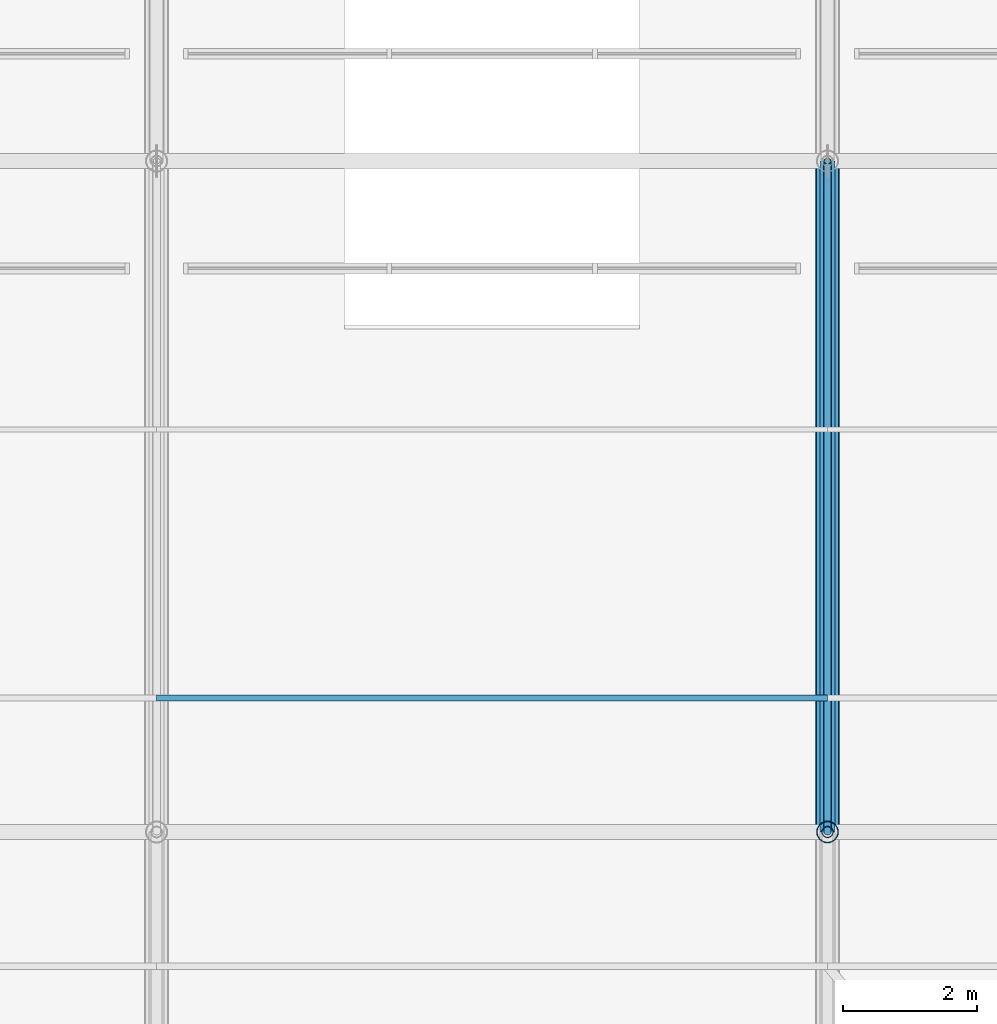
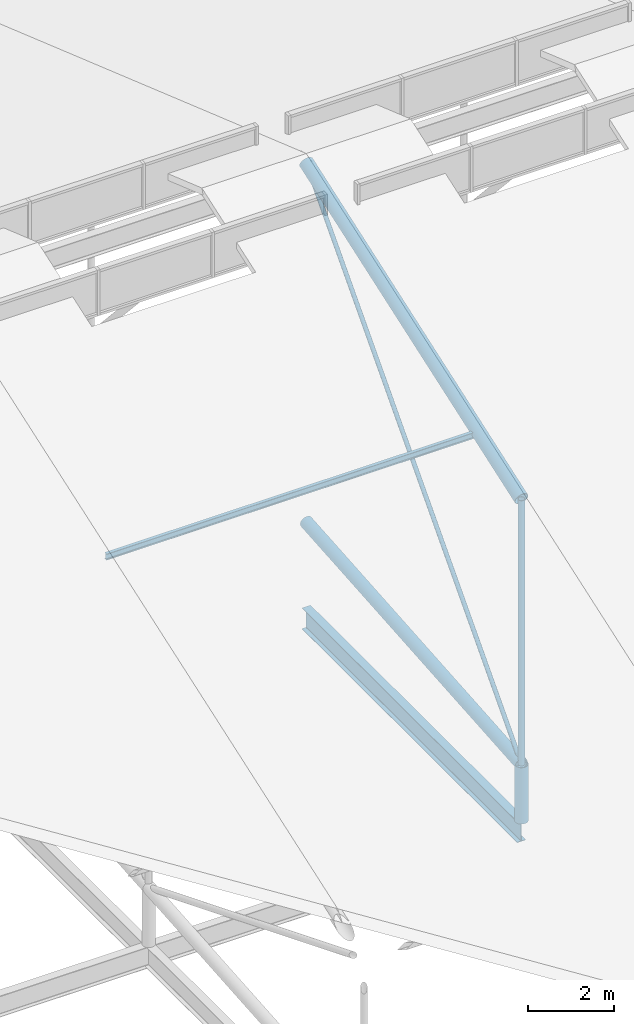
# One storey, part 26 of 93: 6 members, 1 beam.
"""IFC4 building model written with IfcOpenShell, lengths in metres."""

import ifcopenshell
import ifcopenshell.guid

model = None  # the IFC model being written
_history = None  # IfcOwnerHistory: only IFC2X3 demands one
_inside = {}  # id of a spatial element -> (the spatial element, [elements in it])
_under = {}  # id of a project, library or spatial element -> (it, [spatial elements below it])
_declared = {}  # id of a project -> (the project, [libraries it declares])
_typed = {}  # id of a type object -> (the type object, [elements of that type])
_made_of = {}  # id of a material, layer set ... -> (it, [elements and type objects made of it])


def new_model(schema):
    """Start an empty IFC model of exactly this schema.

    Asked for "IFC4X3", IfcOpenShell would pick the latest addendum, in which some entities
    have other attributes; the version numbers below select the first issue.
    IFC2X3 requires an IfcOwnerHistory on every rooted entity: one is made here for all.
    """
    global model, _history
    if schema == "IFC4X3":
        model = ifcopenshell.file(schema_version=(4, 3, 0, 0))
    else:
        model = ifcopenshell.file(schema=schema)
    _inside.clear()
    _under.clear()
    _declared.clear()
    _typed.clear()
    _made_of.clear()
    _history = None
    if model.schema == "IFC2X3":
        org = make("IfcOrganization", Name="unknown")
        user = make(
            "IfcPersonAndOrganization",
            ThePerson=make("IfcPerson", FamilyName="unknown"),
            TheOrganization=org,
        )
        app = make(
            "IfcApplication",
            ApplicationDeveloper=org,
            Version="unknown",
            ApplicationFullName="unknown",
            ApplicationIdentifier="unknown",
        )
        _history = make(
            "IfcOwnerHistory",
            OwningUser=user,
            OwningApplication=app,
            ChangeAction="ADDED",
            CreationDate=0,
        )
    return model


def make(cls, **values):
    """One entity of the class cls with the attributes given. An attribute that is None is left unset."""
    return model.create_entity(
        cls, **{name: value for name, value in values.items() if value is not None}
    )


def rooted(cls, **values):
    """An entity with a GlobalId (a new one), such as an element, a storey or a relation."""
    return make(cls, GlobalId=ifcopenshell.guid.new(), OwnerHistory=_history, **values)


def si_unit(unit_type, name, prefix=None):
    """IfcSIUnit, for example si_unit("LENGTHUNIT", "METRE", prefix="MILLI")."""
    return make("IfcSIUnit", UnitType=unit_type, Prefix=prefix, Name=name)


def derived_unit(unit_type, elements):
    """IfcDerivedUnit: a product of units, each with its exponent."""
    return make(
        "IfcDerivedUnit",
        Elements=[
            make("IfcDerivedUnitElement", Unit=unit, Exponent=power)
            for unit, power in elements
        ],
        UnitType=unit_type,
    )


def assignment(units):
    """IfcUnitAssignment: the units of a project."""
    return None if units is None else make("IfcUnitAssignment", Units=units)


def point(xyz):
    """IfcCartesianPoint."""
    return None if xyz is None else make("IfcCartesianPoint", Coordinates=xyz)


def direction(xyz):
    """IfcDirection."""
    return None if xyz is None else make("IfcDirection", DirectionRatios=xyz)


def frame(location, z_axis=None, x_axis=None):
    """IfcAxis2Placement3D, a coordinate frame: its origin and axes. An axis left out is left unset."""
    return make(
        "IfcAxis2Placement3D",
        Location=point(location),
        Axis=direction(z_axis),
        RefDirection=direction(x_axis),
    )


def frame_2d(location, x_axis=None):
    """IfcAxis2Placement2D, a coordinate frame in the plane: its origin and x axis."""
    return make(
        "IfcAxis2Placement2D", Location=point(location), RefDirection=direction(x_axis)
    )


def origin():
    """The frame at (0, 0, 0) with its axes left unset."""
    return frame((0.0, 0.0, 0.0))


def origin_2d_with_axis():
    """The frame at (0, 0) in the plane with the x axis (1, 0) written out."""
    return frame_2d((0.0, 0.0), x_axis=(1.0, 0.0))


def place(relative_to, where):
    """IfcLocalPlacement: puts the frame where relative to a parent placement (None: the world)."""
    return make(
        "IfcLocalPlacement", PlacementRelTo=relative_to, RelativePlacement=where
    )


def context(
    kind, dimensions, precision=None, world=None, true_north=None, identifier=None
):
    """IfcGeometricRepresentationContext, for example the 3D "Model" context."""
    return make(
        "IfcGeometricRepresentationContext",
        ContextIdentifier=identifier,
        ContextType=kind,
        CoordinateSpaceDimension=dimensions,
        Precision=precision,
        WorldCoordinateSystem=world,
        TrueNorth=true_north,
    )


def subcontext(parent, identifier, kind, view, scale=None):
    """IfcGeometricRepresentationSubContext, for example "Body" below "Model"."""
    return make(
        "IfcGeometricRepresentationSubContext",
        ContextIdentifier=identifier,
        ContextType=kind,
        ParentContext=parent,
        TargetScale=scale,
        TargetView=view,
    )


def project(units=None, contexts=None):
    """IfcProject with its units and contexts."""
    return rooted(
        "IfcProject",
        Name="project",
        RepresentationContexts=contexts,
        UnitsInContext=assignment(units),
    )


def spatial(cls, under=None, at=None, **own):
    """A site, building, storey or space (cls), placed at a placement, below another one or the project."""
    s = rooted(cls, ObjectPlacement=at, **own)
    if under is not None:
        _under.setdefault(under.id(), (under, []))[1].append(s)
    return s


def profile(cls, at=None, kind="AREA", **sizes):
    """A parametric profile (cls). Its sizes go by their IFC names, for example OverallWidth=200.0."""
    return make(cls, ProfileType=kind, Position=at, **sizes)


def hollow_circle(**sizes):
    """IfcCircleHollowProfileDef."""
    return profile("IfcCircleHollowProfileDef", **sizes)


def i_section(**sizes):
    """IfcIShapeProfileDef."""
    return profile("IfcIShapeProfileDef", **sizes)


def extrude(swept, where, along, depth):
    """IfcExtrudedAreaSolid: the profile swept, set in the frame where, extruded along a direction by depth."""
    return make(
        "IfcExtrudedAreaSolid",
        SweptArea=swept,
        Position=where,
        ExtrudedDirection=direction(along),
        Depth=depth,
    )


def shape(context_of_items, identifier, shape_type, items):
    """IfcShapeRepresentation: the items that make up one representation, for example the "Body"."""
    return make(
        "IfcShapeRepresentation",
        ContextOfItems=context_of_items,
        RepresentationIdentifier=identifier,
        RepresentationType=shape_type,
        Items=items,
    )


def material(Name=None, Category=None):
    """IfcMaterial."""
    return make("IfcMaterial", Name=Name, Category=Category)


def material_profile(
    of_material, cross_section, Name=None, Category=None, Priority=None
):
    """IfcMaterialProfile: a cross section and its material."""
    return make(
        "IfcMaterialProfile",
        Name=Name,
        Material=of_material,
        Profile=cross_section,
        Priority=Priority,
        Category=Category,
    )


def profile_set(profiles, Name=None, composite=None):
    """IfcMaterialProfileSet."""
    return make(
        "IfcMaterialProfileSet",
        Name=Name,
        MaterialProfiles=profiles,
        CompositeProfile=composite,
    )


def made_of(thing, what):
    """Note that an element or type object is made of a material, layer set ...; save() writes the relation."""
    if what is not None:
        _made_of.setdefault(what.id(), (what, []))[1].append(thing)
    return thing


def type_object(cls, material=None, **own):
    """A type object (cls), such as IfcWallType, which elements share."""
    return made_of(rooted(cls, **own), material)


def element(
    cls,
    number,
    at=None,
    inside=None,
    cuts=None,
    type_object=None,
    material=None,
    context=None,
    identifier="Body",
    shape_type=None,
    held_by="IfcProductDefinitionShape",
    body=None,
    shapes=None,
    **own,
):
    """One element of the class cls, such as IfcWall. Its Tag is "e" and its number.

    at: its placement. inside: the storey or other place that contains it. cuts: it is an
    opening in that element (IfcRelVoidsElement). A single representation is given by context,
    identifier, shape_type and body (its items); several are given by shapes. held_by: the class
    of the entity that holds the representations. save() writes the other relations.
    """
    e = rooted(cls, Tag="e%d" % number, ObjectPlacement=at, **own)
    if body is not None:
        shapes = [shape(context, identifier, shape_type, body)]
    if shapes is not None:
        e.Representation = make(held_by, Representations=shapes)
    if inside is not None:
        _inside.setdefault(inside.id(), (inside, []))[1].append(e)
    if cuts is not None:
        rooted(
            "IfcRelVoidsElement", RelatingBuildingElement=cuts, RelatedOpeningElement=e
        )
    if type_object is not None:
        _typed.setdefault(type_object.id(), (type_object, []))[1].append(e)
    return made_of(e, material)


def aggregate(whole, parts):
    """IfcRelAggregates: a whole, such as a stair, and the parts it consists of."""
    return rooted("IfcRelAggregates", RelatingObject=whole, RelatedObjects=parts)


def save(model, path):
    """Write the relations noted so far, then the file.

    IfcRelAggregates (storeys below a building ...), IfcRelContainedInSpatialStructure (elements
    in a storey), IfcRelDefinesByType, IfcRelAssociatesMaterial and IfcRelDeclares: one each for
    every whole, place, type object, material and project.
    """
    for whole, parts in _under.values():
        aggregate(whole, parts)
    for where, things in _inside.values():
        rooted(
            "IfcRelContainedInSpatialStructure",
            RelatedElements=things,
            RelatingStructure=where,
        )
    for kind, things in _typed.values():
        rooted("IfcRelDefinesByType", RelatedObjects=things, RelatingType=kind)
    for what, things in _made_of.values():
        rooted("IfcRelAssociatesMaterial", RelatedObjects=things, RelatingMaterial=what)
    for by, libraries in _declared.values():
        rooted("IfcRelDeclares", RelatingContext=by, RelatedDefinitions=libraries)
    model.write(path)


model = new_model("IFC4")

# Units and contexts
model_context = context("Model", 3, precision=1e-05, world=origin(), true_north=direction((0.0, 1.0)))
body_context = subcontext(model_context, "Body", "Model", "MODEL_VIEW")
ifc_project = project(units=[si_unit("LENGTHUNIT", "METRE"), si_unit("AREAUNIT", "SQUARE_METRE"), si_unit("VOLUMEUNIT", "CUBIC_METRE"), si_unit("PLANEANGLEUNIT", "RADIAN"), si_unit("MASSUNIT", "GRAM", prefix="KILO"), derived_unit("THERMALTRANSMITTANCEUNIT", [(si_unit("POWERUNIT", "WATT"), 1), (si_unit("LENGTHUNIT", "METRE"), -2), (si_unit("THERMODYNAMICTEMPERATUREUNIT", "KELVIN"), -1)])], contexts=[model_context])

# Site, building, storey
site_placement = place(None, origin())
site = spatial("IfcSite", under=ifc_project, at=site_placement, CompositionType="ELEMENT")
building_placement = place(site_placement, origin())
building = spatial("IfcBuilding", under=site, at=building_placement, Name="Cinnabar Yard Market Hall", CompositionType="ELEMENT")
storey_placement = place(building_placement, frame((0.0, 0.0, 23.800048828125)))
storey = spatial("IfcBuildingStorey", under=building, at=storey_placement, Name="ROOF", CompositionType="ELEMENT", Elevation=23.800048828125)

# Beam
ifc_material_1 = material(Name="Steel Grade 300 (300 MPa)", Category="steel")
ifc_material_profile_1 = material_profile(ifc_material_1, i_section(OverallWidth=0.22802734375, OverallDepth=0.60205078125, WebThickness=0.010498046875, FlangeThickness=0.014892578125, FilletRadius=0.013916015625, at=origin_2d_with_axis()), Name="610UB101")
ifc_profile_set_1 = profile_set([ifc_material_profile_1], Name="Steel Grade 300 (300 MPa)")
beam_type = type_object("IfcBeamType", Name="BM-B02", PredefinedType="BEAM", material=ifc_profile_set_1)
beam_placement = place(storey_placement, frame((136.0, 34.0, -9.700927734375), z_axis=(0.0, 1.0, 0.0), x_axis=(-1.0, 0.0, 0.0)))
element("IfcBeam", 1, at=beam_placement, inside=storey, type_object=beam_type, Name="Hall Transverse Tie Girder 00437", PredefinedType="BEAM", context=body_context, shape_type="SweptSolid", body=[
    extrude(i_section(OverallWidth=0.22802734375, OverallDepth=0.60205078125, WebThickness=0.010498046875, FlangeThickness=0.014892578125, FilletRadius=0.013916015625, at=origin_2d_with_axis()), origin(), (0.0, 0.0, 1.0), 10.0),
])

# Members
ifc_material_2 = material(Name="Cold-formed steel C350L0", Category="steel")
ifc_material_profile_2 = material_profile(ifc_material_2, hollow_circle(Radius=0.161865234375, WallThickness=0.009521484375, at=origin_2d_with_axis()), Name="323.9x9.5CHS")
ifc_profile_set_2 = profile_set([ifc_material_profile_2], Name="Cold-formed steel C350L0")
member_type_1 = type_object("IfcMemberType", Name="MB-BC01", PredefinedType="CHORD", material=ifc_profile_set_2)
member_1_placement = place(storey_placement, frame((136.0, 34.0, -7.800048828125), z_axis=(0.0, 0.99681489162, 0.07975005859), x_axis=(-1.0, 0.0, 0.0)))
element("IfcMember", 2, at=member_1_placement, inside=storey, type_object=member_type_1, Name="Hall Truss 136 Bottom Chord 3", PredefinedType="CHORD", context=body_context, shape_type="SweptSolid", body=[
    extrude(hollow_circle(Radius=0.161865234375, WallThickness=0.009521484375, at=origin_2d_with_axis()), origin(), (0.0, 0.0, 1.0), 10.031982421875),
])
ifc_material_profile_3 = material_profile(ifc_material_2, hollow_circle(Radius=0.05712890625, WallThickness=0.006103515625, at=origin_2d_with_axis()), Name="114.3x6.0CHS")
ifc_profile_set_3 = profile_set([ifc_material_profile_3], Name="Cold-formed steel C350L0")
member_type_2 = type_object("IfcMemberType", Name="MB-DG03", PredefinedType="BRACE", material=ifc_profile_set_3)
member_2_placement = place(storey_placement, frame((136.0, 34.0, -7.800048828125), z_axis=(0.0, 0.672672793996, 0.739940073396), x_axis=(-1.0, 0.0, 0.0)))
element("IfcMember", 3, at=member_2_placement, inside=storey, type_object=member_type_2, Name="Hall Truss 136 Diagonal 3", PredefinedType="BRACE", context=body_context, shape_type="SweptSolid", body=[
    extrude(hollow_circle(Radius=0.05712890625, WallThickness=0.006103515625, at=origin_2d_with_axis()), origin(), (0.0, 0.0, 1.0), 14.865966796875),
])
ifc_material_profile_4 = material_profile(ifc_material_1, i_section(OverallWidth=0.090087890625, OverallDepth=0.173095703125, WebThickness=0.00439453125, FlangeThickness=0.007080078125, FilletRadius=0.0087890625, at=origin_2d_with_axis()), Name="180UB16.1")
ifc_profile_set_4 = profile_set([ifc_material_profile_4], Name="Steel Grade 300 (300 MPa)")
member_type_3 = type_object("IfcMemberType", Name="MB-PU06", PredefinedType="PURLIN", material=ifc_profile_set_4)
member_3_placement = place(storey_placement, frame((126.0, 36.0, 0.37548828125), z_axis=(1.0, 0.0, 0.0), x_axis=(0.0, 1.0, 0.0)))
element("IfcMember", 4, at=member_3_placement, inside=storey, type_object=member_type_3, Name="Hall Roof Purlin Y36 X126", PredefinedType="PURLIN", context=body_context, shape_type="SweptSolid", body=[
    extrude(i_section(OverallWidth=0.090087890625, OverallDepth=0.173095703125, WebThickness=0.00439453125, FlangeThickness=0.007080078125, FilletRadius=0.0087890625, at=origin_2d_with_axis()), origin(), (0.0, 0.0, 1.0), 10.0),
])
ifc_material_3 = material(Name="Spotted-gum glulam-clad steel Grade 350 (350 MPa)", Category="steel")
ifc_material_profile_5 = material_profile(ifc_material_3, hollow_circle(Radius=0.161865234375, WallThickness=0.009521484375, at=origin_2d_with_axis()), Name="323.9x9.5CHS")
ifc_profile_set_5 = profile_set([ifc_material_profile_5], Name="Spotted-gum glulam-clad steel Grade 350 (350 MPa)")
member_type_4 = type_object("IfcMemberType", Name="MB-ST01", PredefinedType="STRUT", material=ifc_profile_set_5)
member_4_placement = place(storey_placement, frame((136.0, 34.0, -9.400146484375), z_axis=(0.0, 0.0, 1.0), x_axis=(1.0, 0.0, 0.0)))
element("IfcMember", 5, at=member_4_placement, inside=storey, type_object=member_type_4, Name="Truss Bearing Post 136-34", PredefinedType="STRUT", context=body_context, shape_type="SweptSolid", body=[
    extrude(hollow_circle(Radius=0.161865234375, WallThickness=0.009521484375, at=origin_2d_with_axis()), origin(), (0.0, 0.0, 1.0), 1.60009765625),
])
ifc_material_profile_6 = material_profile(ifc_material_2, hollow_circle(Radius=0.177734375, WallThickness=0.0126953125, at=origin_2d_with_axis()), Name="355.6x12.7CHS")
ifc_profile_set_6 = profile_set([ifc_material_profile_6], Name="Cold-formed steel C350L0")
member_type_5 = type_object("IfcMemberType", Name="MB-TC01", PredefinedType="CHORD", material=ifc_profile_set_6)
member_5_placement = place(storey_placement, frame((136.0, 34.0, -0.28076171875), z_axis=(0.0, 0.944424919483, 0.328727199147), x_axis=(-1.0, 0.0, 0.0)))
element("IfcMember", 6, at=member_5_placement, inside=storey, type_object=member_type_5, Name="Hall Truss 136 Top Chord 3", PredefinedType="CHORD", context=body_context, shape_type="SweptSolid", body=[
    extrude(hollow_circle(Radius=0.177734375, WallThickness=0.0126953125, at=origin_2d_with_axis()), origin(), (0.0, 0.0, 1.0), 10.58837890625),
])
ifc_material_profile_7 = material_profile(ifc_material_2, hollow_circle(Radius=0.084228515625, WallThickness=0.00634765625, at=origin_2d_with_axis()), Name="168.3x6.4CHS")
ifc_profile_set_7 = profile_set([ifc_material_profile_7], Name="Cold-formed steel C350L0")
member_type_6 = type_object("IfcMemberType", Name="MB-WB01", PredefinedType="STRUT", material=ifc_profile_set_7)
member_6_placement = place(storey_placement, frame((136.0, 34.0, -7.800048828125), z_axis=(0.0, 0.0, 1.0), x_axis=(1.0, 0.0, 0.0)))
element("IfcMember", 7, at=member_6_placement, inside=storey, type_object=member_type_6, Name="Hall Truss 136 Post 2", PredefinedType="STRUT", context=body_context, shape_type="SweptSolid", body=[
    extrude(hollow_circle(Radius=0.084228515625, WallThickness=0.00634765625, at=origin_2d_with_axis()), origin(), (0.0, 0.0, 1.0), 7.519287109375),
])

save(model, "model.ifc")
